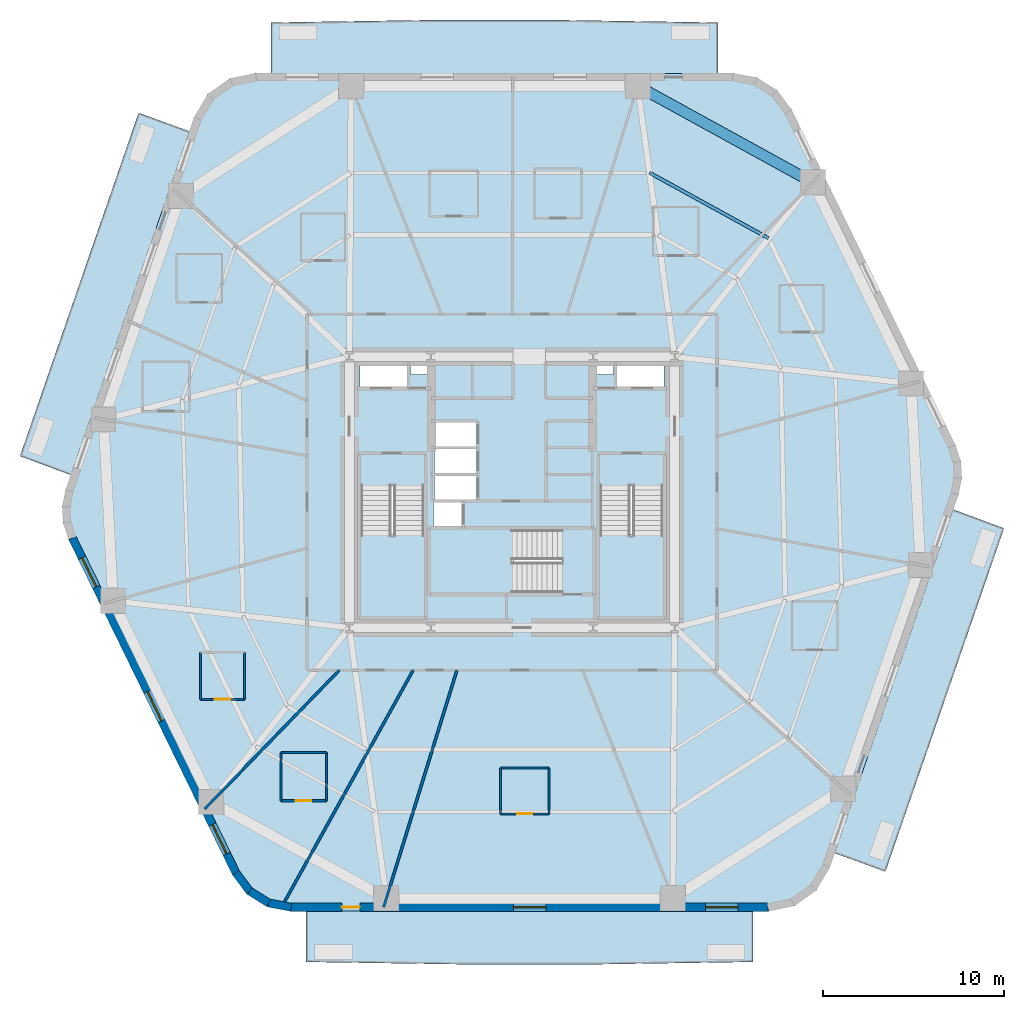
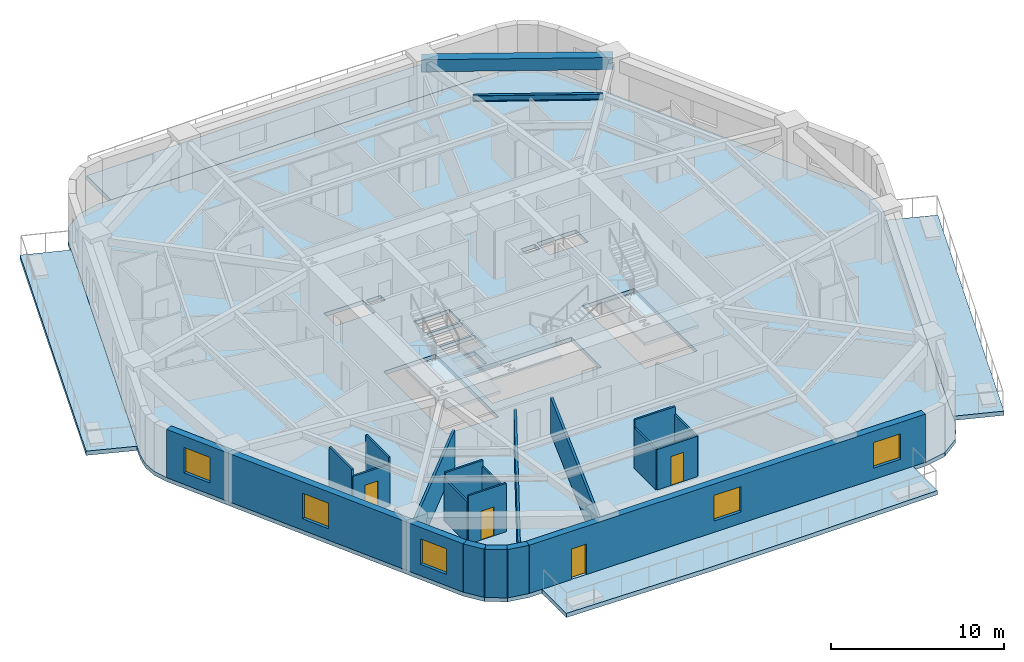
# One storey, part 2 of 10: 19 walls, 8 slabs, 5 windows, 4 doors, 2 beams, 9 openings, 3 elements without a shape of their own.
"""IFC4 building model written with IfcOpenShell, lengths in metres."""

from ifc_helpers import new_model, si_unit, direction, frame, frame_2d, origin, origin_2d, place, context, subcontext, project, spatial, polyline, rectangle, i_section, outline, extrude, material, layer, layer_set, material_profile, profile_set, type_object, element, fill, aggregate, save


model = new_model("IFC4")

# Units and contexts
model_context = context("Model", 3, precision=1e-05, world=origin(), true_north=direction((0.0, 1.0)))
body_context = subcontext(model_context, "Body", "Model", "MODEL_VIEW")
ifc_project = project(units=[si_unit("LENGTHUNIT", "METRE"), si_unit("AREAUNIT", "SQUARE_METRE"), si_unit("VOLUMEUNIT", "CUBIC_METRE"), si_unit("PLANEANGLEUNIT", "RADIAN"), si_unit("MASSUNIT", "GRAM", prefix="KILO")], contexts=[model_context])

# Site, building, storey
site_placement = place(None, origin())
site = spatial("IfcSite", under=ifc_project, at=site_placement, CompositionType="ELEMENT")
building_placement = place(site_placement, origin())
building = spatial("IfcBuilding", under=site, at=building_placement, Name="Kilnhurst Terrace Hotel", CompositionType="ELEMENT")
storey_placement = place(building_placement, frame((0.0, 0.0, 74.89990234375)))
storey = spatial("IfcBuildingStorey", under=building, at=storey_placement, Name="L17", CompositionType="ELEMENT", Elevation=74.89990234375)

# Beams
ifc_material_1 = material(Name="Concrete C50/60", Category="concrete")
ifc_material_profile_1 = material_profile(ifc_material_1, rectangle(XDim=0.60009765625, YDim=0.85009765625, at=origin_2d()), Name="RC600X850")
ifc_profile_set_1 = profile_set([ifc_material_profile_1], Name="Concrete C50/60")
beam_type_1 = type_object("IfcBeamType", Name="BM-SPN-600X850", PredefinedType="SPANDREL", material=ifc_profile_set_1)
beam_1_placement = place(storey_placement, frame((16.64306640625, 17.152099609375, 2.97509765625), z_axis=(-0.876235488803, 0.481883147829, 0.0), x_axis=(-0.481883147829, -0.876235488803, 0.0)))
element("IfcBeam", 1, at=beam_1_placement, inside=storey, type_object=beam_type_1, Name="L17 Perimeter Spandrel Beam 6", PredefinedType="SPANDREL", context=body_context, shape_type="SweptSolid", body=[
    extrude(rectangle(XDim=0.60009765625, YDim=0.85009765625, at=origin_2d()), origin(), (0.0, 0.0, 1.0), 11.056396484375),
])
ifc_material_2 = material(Name="Steel ASTM A992 Grade 50", Category="steel")
ifc_material_profile_2 = material_profile(ifc_material_2, i_section(OverallWidth=0.180908203125, OverallDepth=0.417236328125, WebThickness=0.010986328125, FlangeThickness=0.018310546875, at=origin_2d()), Name="W16X57")
ifc_profile_set_2 = profile_set([ifc_material_profile_2], Name="Steel ASTM A992 Grade 50")
beam_type_2 = type_object("IfcBeamType", Name="JST-STL-W16X57", PredefinedType="JOIST", material=ifc_profile_set_2)
beam_2_placement = place(storey_placement, frame((14.197265625, 14.0634765625, 3.191162109375), z_axis=(-0.876246073632, 0.481863900334, 0.0), x_axis=(-0.481863900334, -0.876246073632, 0.0)))
element("IfcBeam", 2, at=beam_2_placement, inside=storey, type_object=beam_type_2, Name="L17 Secondary Floor Steel Joist OUT.6", PredefinedType="JOIST", context=body_context, shape_type="SweptSolid", body=[
    extrude(i_section(OverallWidth=0.180908203125, OverallDepth=0.417236328125, WebThickness=0.010986328125, FlangeThickness=0.018310546875, at=origin_2d()), origin(), (0.0, 0.0, 1.0), 7.518310546875),
])

# Slabs
ifc_layer_1 = layer(ifc_material_1, 0.300048828125, Name="Concrete C50/60")
ifc_layer_set_1 = layer_set([ifc_layer_1], Name="Concrete C50/60")
slab_type_1 = type_object("IfcSlabType", Name="SLB-BAL-300", PredefinedType="FLOOR", material=ifc_layer_set_1)
slab_1_placement = place(storey_placement, frame((0.0, 0.0, -0.2998046875)))
element("IfcSlab", 3, at=slab_1_placement, inside=storey, type_object=slab_type_1, Name="L17 Cantilevered Planted Terrace Slab BAL-L1A", PredefinedType="FLOOR", context=body_context, shape_type="SweptSolid", body=[
    extrude(outline(polyline([(4.229248046875, -26.139892578125), (-2.279541015625, -26.139892578125), (-11.39208984375, -26.0), (-11.39208984375, -23.179931640625), (13.341552734375, -23.179931640625), (13.341552734375, -26.0), (4.229248046875, -26.139892578125)])), origin(), (0.0, 0.0, 1.0), 0.2998046875),
])
slab_2_placement = place(storey_placement, frame((0.0, 0.0, -0.2998046875)))
element("IfcSlab", 4, at=slab_2_placement, inside=storey, type_object=slab_type_1, Name="L17 Cantilevered Planted Terrace Slab BAL-L1B", PredefinedType="FLOOR", context=body_context, shape_type="SweptSolid", body=[
    extrude(outline(polyline([(20.670166015625, -21.0), (17.84912109375, -19.975341796875), (24.410888671875, -0.9501953125), (27.23388671875, -2.0), (23.98046875, -11.4296875), (20.670166015625, -21.0)])), origin(), (0.0, 0.0, 1.0), 0.2998046875),
])
slab_3_placement = place(storey_placement, frame((0.0, 0.0, -0.2998046875)))
element("IfcSlab", 5, at=slab_3_placement, inside=storey, type_object=slab_type_1, Name="L17 Cantilevered Planted Terrace Slab BAL-L2A", PredefinedType="FLOOR", context=body_context, shape_type="SweptSolid", body=[
    extrude(outline(polyline([(2.279541015625, 26.139892578125), (11.39208984375, 26.0), (11.39208984375, 23.179931640625), (-13.341552734375, 23.179931640625), (-13.341552734375, 26.0), (-4.229248046875, 26.139892578125), (2.279541015625, 26.139892578125)])), origin(), (0.0, 0.0, 1.0), 0.2998046875),
])
slab_4_placement = place(storey_placement, frame((0.0, 0.0, -0.2998046875)))
element("IfcSlab", 6, at=slab_4_placement, inside=storey, type_object=slab_type_1, Name="L17 Cantilevered Planted Terrace Slab BAL-L2B", PredefinedType="FLOOR", context=body_context, shape_type="SweptSolid", body=[
    extrude(outline(polyline([(-20.670166015625, 21.0), (-17.84912109375, 19.975341796875), (-24.410888671875, 0.9501953125), (-27.23388671875, 2.0), (-23.98046875, 11.4296875), (-20.670166015625, 21.0)])), origin(), (0.0, 0.0, 1.0), 0.2998046875),
])
ifc_layer_2 = layer(ifc_material_1, 0.280029296875, Name="Concrete C50/60")
ifc_layer_set_2 = layer_set([ifc_layer_2], Name="Concrete C50/60")
slab_type_2 = type_object("IfcSlabType", Name="SLB-FLR-280", PredefinedType="FLOOR", material=ifc_layer_set_2)
slab_5_placement = place(storey_placement, frame((0.0, 0.0, -0.27978515625)))
element("IfcSlab", 7, at=slab_5_placement, inside=storey, type_object=slab_type_2, Name="L17 Structural Floor Slab", PredefinedType="FLOOR", context=body_context, shape_type="SweptSolid", body=[
    extrude(outline(polyline([(-15.476806640625, -21.18017578125), (-14.680908203125, -22.248046875), (-13.551025390625, -22.95361328125), (-12.241943359375, -23.199951171875), (14.191650390625, -23.199951171875), (15.635986328125, -22.8974609375), (16.837890625, -22.040771484375), (17.5947265625, -20.773681640625), (24.712890625, -0.135986328125), (24.90087890625, 0.7861328125), (24.843505859375, 1.7255859375), (24.54443359375, 2.617919921875), (15.476806640625, 21.18017578125), (14.680908203125, 22.248046875), (13.551025390625, 22.95361328125), (12.241943359375, 23.199951171875), (-14.191650390625, 23.199951171875), (-15.635986328125, 22.8974609375), (-16.837890625, 22.040771484375), (-17.5947265625, 20.773681640625), (-24.712890625, 0.135986328125), (-24.90087890625, -0.7861328125), (-24.843505859375, -1.7255859375), (-24.54443359375, -2.617919921875), (-15.476806640625, -21.18017578125)]), holes=[polyline([(-8.35009765625, 0.35498046875), (-4.8798828125, 0.35498046875), (-4.8798828125, -6.89990234375), (-8.35009765625, -6.89990234375), (-8.35009765625, 0.35498046875)]), polyline([(-2.800048828125, -1.89990234375), (-4.35009765625, -1.89990234375), (-4.35009765625, -0.550048828125), (-2.800048828125, -0.550048828125), (-2.800048828125, -1.89990234375)]), polyline([(-1.949951171875, -0.429931640625), (-4.300048828125, -0.429931640625), (-4.300048828125, 0.89990234375), (-1.949951171875, 0.89990234375), (-1.949951171875, -0.429931640625)]), polyline([(-4.300048828125, 1.050048828125), (-4.300048828125, 2.3798828125), (-1.949951171875, 2.3798828125), (-1.949951171875, 1.050048828125), (-4.300048828125, 1.050048828125)]), polyline([(-8.39990234375, 5.75), (-8.39990234375, 7.14990234375), (-5.800048828125, 7.14990234375), (-5.800048828125, 5.75), (-8.39990234375, 5.75)]), polyline([(-4.659912109375, 6.52001953125), (-5.6201171875, 6.52001953125), (-5.6201171875, 7.080078125), (-4.659912109375, 7.080078125), (-4.659912109375, 6.52001953125)]), polyline([(2.7548828125, -5.550048828125), (-4.5, -5.550048828125), (-4.5, -2.080078125), (2.7548828125, -2.080078125), (2.7548828125, -5.550048828125)]), polyline([(8.35009765625, 0.35498046875), (8.35009765625, -6.89990234375), (4.8798828125, -6.89990234375), (4.8798828125, 0.35498046875), (8.35009765625, 0.35498046875)]), polyline([(-1.949951171875, 2.530029296875), (-4.300048828125, 2.530029296875), (-4.300048828125, 3.860107421875), (-1.949951171875, 3.860107421875), (-1.949951171875, 2.530029296875)]), polyline([(5.800048828125, 5.75), (5.800048828125, 7.14990234375), (8.39990234375, 7.14990234375), (8.39990234375, 5.75), (5.800048828125, 5.75)]), polyline([(4.659912109375, 6.52001953125), (4.659912109375, 7.080078125), (5.6201171875, 7.080078125), (5.6201171875, 6.52001953125), (4.659912109375, 6.52001953125)])]), origin(), (0.0, 0.0, 1.0), 0.27978515625),
])

# Stair, slab
stair_type = type_object("IfcStairType", Name="STR-CORE-1660", PredefinedType="HALF_TURN_STAIR", material=ifc_material_1)
stair_1_placement = place(storey_placement, origin())
stair_1 = element("IfcStair", 8, at=stair_1_placement, inside=storey, type_object=stair_type, Name="L17 ST-1", PredefinedType="HALF_TURN_STAIR")
ifc_layer_3 = layer(ifc_material_1, 0.199951171875, Name="Concrete C50/60")
ifc_layer_set_3 = layer_set([ifc_layer_3], Name="Concrete C50/60")
slab_type_3 = type_object("IfcSlabType", Name="SLB-ST-LND-200", PredefinedType="LANDING", material=ifc_layer_set_3)
slab_6_placement = place(storey_placement, frame((0.0, 0.0, 1.650146484375)))
slab_6 = element("IfcSlab", 9, at=slab_6_placement, type_object=slab_type_3, Name="ST-1 landing 1", PredefinedType="LANDING", context=body_context, shape_type="SweptSolid", body=[
    extrude(outline(polyline([(-8.429931640625, -2.330078125), (-4.800048828125, -2.330078125), (-4.800048828125, -6.97998046875), (-8.429931640625, -6.97998046875), (-8.429931640625, -2.330078125)])), origin(), (0.0, 0.0, 1.0), 0.199951171875),
])
aggregate(stair_1, [slab_6])

stair_2_placement = place(storey_placement, origin())
stair_2 = element("IfcStair", 10, at=stair_2_placement, inside=storey, type_object=stair_type, Name="L17 ST-2", PredefinedType="HALF_TURN_STAIR")
slab_7_placement = place(storey_placement, frame((0.0, 0.0, 1.650146484375)))
slab_7 = element("IfcSlab", 11, at=slab_7_placement, type_object=slab_type_3, Name="ST-2 landing 1", PredefinedType="LANDING", context=body_context, shape_type="SweptSolid", body=[
    extrude(outline(polyline([(4.800048828125, -2.330078125), (8.429931640625, -2.330078125), (8.429931640625, -6.97998046875), (4.800048828125, -6.97998046875), (4.800048828125, -2.330078125)])), origin(), (0.0, 0.0, 1.0), 0.199951171875),
])
aggregate(stair_2, [slab_7])

stair_3_placement = place(storey_placement, origin())
stair_3 = element("IfcStair", 12, at=stair_3_placement, inside=storey, type_object=stair_type, Name="L17 ST-3", PredefinedType="HALF_TURN_STAIR")
slab_8_placement = place(storey_placement, frame((0.0, 0.0, 1.650146484375)))
slab_8 = element("IfcSlab", 13, at=slab_8_placement, type_object=slab_type_3, Name="ST-3 landing 1", PredefinedType="LANDING", context=body_context, shape_type="SweptSolid", body=[
    extrude(outline(polyline([(0.070068359375, -2.0), (0.070068359375, -5.6298828125), (-4.580078125, -5.6298828125), (-4.580078125, -2.0), (0.070068359375, -2.0)])), origin(), (0.0, 0.0, 1.0), 0.199951171875),
])
aggregate(stair_3, [slab_8])

# Walls
ifc_material_3 = material(Name="Precast concrete C40/50", Category="concrete")
ifc_layer_4 = layer(ifc_material_3, 0.449951171875, Name="Precast concrete C40/50")
ifc_layer_set_4 = layer_set([ifc_layer_4], Name="Precast concrete C40/50")
wall_type_1 = type_object("IfcWallType", Name="WL-BRK-450", PredefinedType="SOLIDWALL", material=ifc_layer_set_4)
wall_1_placement = place(storey_placement, frame((-15.28369140625, -21.0625, 0.0), z_axis=(0.0, 0.0, 1.0), x_axis=(0.597595366449, -0.801797841104, 0.0)))
element("IfcWall", 14, at=wall_1_placement, inside=storey, type_object=wall_type_1, Name="L17 Rounded Corner Brick Wall C1.1", PredefinedType="SOLIDWALL", context=body_context, shape_type="SweptSolid", body=[
    extrude(rectangle(XDim=1.2685546875, YDim=0.449951171875, at=frame_2d((0.63427734375, 0.0))), origin(), (0.0, 0.0, 1.0), 3.400146484375),
])
wall_2_placement = place(storey_placement, frame((-14.525634765625, -22.07958984375, 0.0), z_axis=(0.0, 0.0, 1.0), x_axis=(0.848185203596, -0.529699783275, 0.0)))
element("IfcWall", 15, at=wall_2_placement, inside=storey, type_object=wall_type_1, Name="L17 Rounded Corner Brick Wall C1.2", PredefinedType="SOLIDWALL", context=body_context, shape_type="SweptSolid", body=[
    extrude(rectangle(XDim=1.247314453125, YDim=0.449951171875, at=frame_2d((0.62353515625, 0.0))), origin(), (0.0, 0.0, 1.0), 3.400146484375),
])
wall_3_placement = place(storey_placement, frame((-13.4677734375, -22.740234375, 0.0), z_axis=(0.0, 0.0, 1.0), x_axis=(0.982717174228, -0.185113358451, 0.0)))
element("IfcWall", 16, at=wall_3_placement, inside=storey, type_object=wall_type_1, Name="L17 Rounded Corner Brick Wall C1.3", PredefinedType="SOLIDWALL", context=body_context, shape_type="SweptSolid", body=[
    extrude(rectangle(XDim=1.268798828125, YDim=0.449951171875, at=frame_2d((0.63427734375, 0.0))), origin(), (0.0, 0.0, 1.0), 3.400146484375),
])

# Wall, openings, door, windows
wall_4_placement = place(storey_placement, frame((-12.220947265625, -22.97509765625, 0.0), z_axis=(0.0, 0.0, 1.0), x_axis=(1.0, 0.0, 0.0)))
wall_4 = element("IfcWall", 17, at=wall_4_placement, inside=storey, type_object=wall_type_1, Name="L17 Exterior Brick Facade Wall F1", PredefinedType="SOLIDWALL", context=body_context, shape_type="SweptSolid", body=[
    extrude(rectangle(XDim=26.38916015625, YDim=0.449951171875, at=frame_2d((13.194580078125, 0.0))), origin(), (0.0, 0.0, 1.0), 3.400146484375),
])
opening_1_placement = place(wall_4_placement, frame((2.799072265625, 0.0, 0.0)))
opening_1 = element("IfcOpeningElement", 18, at=opening_1_placement, cuts=wall_4, Name="Opening BD-1000", PredefinedType="OPENING", context=body_context, shape_type="SweptSolid", body=[
    extrude(rectangle(XDim=1.0, YDim=2.14990234375, at=frame_2d((0.5, 1.074951171875))), frame((0.0, 0.23486328125, 0.0), z_axis=(0.0, -1.0, 0.0), x_axis=(1.0, 0.0, 0.0)), (0.0, 0.0, 1.0), 0.469970703125),
])
opening_2_placement = place(wall_4_placement, frame((12.2958984375, 0.0, 0.800048828125)))
opening_2 = element("IfcOpeningElement", 19, at=opening_2_placement, cuts=wall_4, Name="Opening W-01", PredefinedType="OPENING", context=body_context, shape_type="SweptSolid", body=[
    extrude(rectangle(XDim=1.800048828125, YDim=1.800048828125, at=frame_2d((0.89990234375, 0.89990234375))), frame((0.0, 0.23486328125, 0.0), z_axis=(0.0, -1.0, 0.0), x_axis=(1.0, 0.0, 0.0)), (0.0, 0.0, 1.0), 0.469970703125),
])
opening_3_placement = place(wall_4_placement, frame((22.93798828125, 0.0, 0.800048828125)))
opening_3 = element("IfcOpeningElement", 20, at=opening_3_placement, cuts=wall_4, Name="Opening W-01", PredefinedType="OPENING", context=body_context, shape_type="SweptSolid", body=[
    extrude(rectangle(XDim=1.800048828125, YDim=1.800048828125, at=frame_2d((0.89990234375, 0.89990234375))), frame((0.0, 0.23486328125, 0.0), z_axis=(0.0, -1.0, 0.0), x_axis=(1.0, 0.0, 0.0)), (0.0, 0.0, 1.0), 0.469970703125),
])
ifc_material_4 = material(Name="Thermally Broken Bronze Aluminium Alloy 6063-T6 and Laminated Glass", Category="aluminium")
door_type_1 = type_object("IfcDoorType", Name="DR-EXT-BAL-1000", OperationType="NOTDEFINED", PredefinedType="DOOR", material=ifc_material_4)
door_1_placement = place(opening_1_placement, origin())
door_1 = element("IfcDoor", 21, at=door_1_placement, inside=storey, type_object=door_type_1, Name="L17 Planted Balcony Door BAL-L1A", OperationType="SINGLE_SWING_LEFT", OverallHeight=2.14990234375, OverallWidth=1.0, PredefinedType="DOOR", context=body_context, shape_type="SweptSolid", body=[
    extrude(rectangle(XDim=1.0, YDim=2.14990234375, at=frame_2d((0.5, 1.074951171875))), frame((0.0, 0.02490234375, 0.0), z_axis=(0.0, -1.0, 0.0), x_axis=(1.0, 0.0, 0.0)), (0.0, 0.0, 1.0), 0.050048828125),
])
fill(opening_1, door_1)
ifc_material_5 = material(Name="Thermally Broken Bronze Aluminium Alloy 6063-T6 and Low-E Glass", Category="aluminium")
window_type = type_object("IfcWindowType", Name="WIN-1800X1800", PartitioningType="SINGLE_PANEL", PredefinedType="WINDOW", material=ifc_material_5)
window_1_placement = place(opening_2_placement, origin())
window_1 = element("IfcWindow", 22, at=window_1_placement, inside=storey, type_object=window_type, Name="L17 Deep-Set Masonry Window F1.1", OverallHeight=1.800048828125, OverallWidth=1.800048828125, PartitioningType="SINGLE_PANEL", PredefinedType="WINDOW", context=body_context, shape_type="SweptSolid", body=[
    extrude(rectangle(XDim=1.800048828125, YDim=1.800048828125, at=frame_2d((0.89990234375, 0.89990234375))), frame((0.0, 0.030029296875, 0.0), z_axis=(0.0, -1.0, 0.0), x_axis=(1.0, 0.0, 0.0)), (0.0, 0.0, 1.0), 0.06005859375),
])
fill(opening_2, window_1)
window_2_placement = place(opening_3_placement, origin())
window_2 = element("IfcWindow", 23, at=window_2_placement, inside=storey, type_object=window_type, Name="L17 Deep-Set Masonry Window F1.2", OverallHeight=1.800048828125, OverallWidth=1.800048828125, PartitioningType="SINGLE_PANEL", PredefinedType="WINDOW", context=body_context, shape_type="SweptSolid", body=[
    extrude(rectangle(XDim=1.800048828125, YDim=1.800048828125, at=frame_2d((0.89990234375, 0.89990234375))), frame((0.0, 0.030029296875, 0.0), z_axis=(0.0, -1.0, 0.0), x_axis=(1.0, 0.0, 0.0)), (0.0, 0.0, 1.0), 0.06005859375),
])
fill(opening_3, window_2)

# Wall, openings, windows
wall_5_placement = place(storey_placement, frame((-24.335693359375, -2.532470703125, 0.0), z_axis=(0.0, 0.0, 1.0), x_axis=(0.438931326393, -0.898520612291, 0.0)))
wall_5 = element("IfcWall", 24, at=wall_5_placement, inside=storey, type_object=wall_type_1, Name="L17 Exterior Brick Facade Wall F6", PredefinedType="SOLIDWALL", context=body_context, shape_type="SweptSolid", body=[
    extrude(rectangle(XDim=20.622802734375, YDim=0.449951171875, at=frame_2d((10.3115234375, 0.0))), origin(), (0.0, 0.0, 1.0), 3.400146484375),
])
opening_4_placement = place(wall_5_placement, frame((1.214111328125, 0.0, 0.800048828125)))
opening_4 = element("IfcOpeningElement", 25, at=opening_4_placement, cuts=wall_5, Name="Opening W-01", PredefinedType="OPENING", context=body_context, shape_type="SweptSolid", body=[
    extrude(rectangle(XDim=1.800048828125, YDim=1.800048828125, at=frame_2d((0.89990234375, 0.89990234375))), frame((0.0, 0.23486328125, 0.0), z_axis=(0.0, -1.0, 0.0), x_axis=(1.0, 0.0, 0.0)), (0.0, 0.0, 1.0), 0.469970703125),
])
opening_5_placement = place(wall_5_placement, frame((9.4619140625, 0.0, 0.800048828125)))
opening_5 = element("IfcOpeningElement", 26, at=opening_5_placement, cuts=wall_5, Name="Opening W-01", PredefinedType="OPENING", context=body_context, shape_type="SweptSolid", body=[
    extrude(rectangle(XDim=1.800048828125, YDim=1.800048828125, at=frame_2d((0.89990234375, 0.89990234375))), frame((0.0, 0.23486328125, 0.0), z_axis=(0.0, -1.0, 0.0), x_axis=(1.0, 0.0, 0.0)), (0.0, 0.0, 1.0), 0.469970703125),
])
opening_6_placement = place(wall_5_placement, frame((17.659912109375, 0.0, 0.800048828125)))
opening_6 = element("IfcOpeningElement", 27, at=opening_6_placement, cuts=wall_5, Name="Opening W-01", PredefinedType="OPENING", context=body_context, shape_type="SweptSolid", body=[
    extrude(rectangle(XDim=1.800048828125, YDim=1.800048828125, at=frame_2d((0.89990234375, 0.89990234375))), frame((0.0, 0.23486328125, 0.0), z_axis=(0.0, -1.0, 0.0), x_axis=(1.0, 0.0, 0.0)), (0.0, 0.0, 1.0), 0.469970703125),
])
window_3_placement = place(opening_4_placement, origin())
window_3 = element("IfcWindow", 28, at=window_3_placement, inside=storey, type_object=window_type, Name="L17 Deep-Set Masonry Window F6.1", OverallHeight=1.800048828125, OverallWidth=1.800048828125, PartitioningType="SINGLE_PANEL", PredefinedType="WINDOW", context=body_context, shape_type="SweptSolid", body=[
    extrude(rectangle(XDim=1.800048828125, YDim=1.800048828125, at=frame_2d((0.89990234375, 0.89990234375))), frame((0.0, 0.030029296875, 0.0), z_axis=(0.0, -1.0, 0.0), x_axis=(1.0, 0.0, 0.0)), (0.0, 0.0, 1.0), 0.06005859375),
])
fill(opening_4, window_3)
window_4_placement = place(opening_5_placement, origin())
window_4 = element("IfcWindow", 29, at=window_4_placement, inside=storey, type_object=window_type, Name="L17 Deep-Set Masonry Window F6.2", OverallHeight=1.800048828125, OverallWidth=1.800048828125, PartitioningType="SINGLE_PANEL", PredefinedType="WINDOW", context=body_context, shape_type="SweptSolid", body=[
    extrude(rectangle(XDim=1.800048828125, YDim=1.800048828125, at=frame_2d((0.89990234375, 0.89990234375))), frame((0.0, 0.030029296875, 0.0), z_axis=(0.0, -1.0, 0.0), x_axis=(1.0, 0.0, 0.0)), (0.0, 0.0, 1.0), 0.06005859375),
])
fill(opening_5, window_4)
window_5_placement = place(opening_6_placement, origin())
window_5 = element("IfcWindow", 30, at=window_5_placement, inside=storey, type_object=window_type, Name="L17 Deep-Set Masonry Window F6.3", OverallHeight=1.800048828125, OverallWidth=1.800048828125, PartitioningType="SINGLE_PANEL", PredefinedType="WINDOW", context=body_context, shape_type="SweptSolid", body=[
    extrude(rectangle(XDim=1.800048828125, YDim=1.800048828125, at=frame_2d((0.89990234375, 0.89990234375))), frame((0.0, 0.030029296875, 0.0), z_axis=(0.0, -1.0, 0.0), x_axis=(1.0, 0.0, 0.0)), (0.0, 0.0, 1.0), 0.06005859375),
])
fill(opening_6, window_5)

# Walls
ifc_material_6 = material(Name="STC-58 Acoustic Twin-Frame Guestroom Demising Partition")
ifc_layer_5 = layer(ifc_material_6, 0.14990234375, Name="STC-58 Acoustic Twin-Frame Guestroom Demising Partition")
ifc_layer_set_5 = layer_set([ifc_layer_5], Name="STC-58 Acoustic Twin-Frame Guestroom Demising Partition")
wall_type_2 = type_object("IfcWallType", Name="WL-DEM-150", PredefinedType="PARTITIONING", material=ifc_layer_set_5)
wall_6_placement = place(storey_placement, frame((-9.5576171875, -9.85009765625, 0.0), z_axis=(0.0, 0.0, 1.0), x_axis=(-0.69638346089, -0.717669893056, 0.0)))
element("IfcWall", 31, at=wall_6_placement, inside=storey, type_object=wall_type_2, Name="L17 Interior Wall WL-L17-DEM-COL08-10-1", PredefinedType="PARTITIONING", context=body_context, shape_type="SweptSolid", body=[
    extrude(rectangle(XDim=10.700927734375, YDim=0.14990234375, at=frame_2d((5.3505859375, 0.0))), origin(), (0.0, 0.0, 1.0), 2.5400390625),
])
wall_7_placement = place(storey_placement, frame((-5.470703125, -9.85009765625, 0.0), z_axis=(0.0, 0.0, 1.0), x_axis=(-0.48553323157, -0.874218211341, 0.0)))
element("IfcWall", 32, at=wall_7_placement, inside=storey, type_object=wall_type_2, Name="L17 Interior Wall WL-L17-DEM-MID08-11-1", PredefinedType="PARTITIONING", context=body_context, shape_type="SweptSolid", body=[
    extrude(rectangle(XDim=14.739501953125, YDim=0.14990234375, at=frame_2d((7.36962890625, 0.0))), origin(), (0.0, 0.0, 1.0), 2.5400390625),
])
wall_8_placement = place(storey_placement, frame((-3.047607421875, -9.85009765625, 0.0), z_axis=(0.0, 0.0, 1.0), x_axis=(-0.295553992761, -0.955326037206, 0.0)))
element("IfcWall", 33, at=wall_8_placement, inside=storey, type_object=wall_type_2, Name="L17 Interior Wall WL-L17-DEM-COL09-12-1", PredefinedType="PARTITIONING", context=body_context, shape_type="SweptSolid", body=[
    extrude(rectangle(XDim=13.73876953125, YDim=0.14990234375, at=frame_2d((6.869384765625, 0.0))), origin(), (0.0, 0.0, 1.0), 2.5400390625),
])

# Wall, opening, door
ifc_material_7 = material(Name="120 mm Moisture-Resistant Tile-Backed Bathroom Partition")
ifc_layer_6 = layer(ifc_material_7, 0.1201171875, Name="120 mm Moisture-Resistant Tile-Backed Bathroom Partition")
ifc_layer_set_6 = layer_set([ifc_layer_6], Name="120 mm Moisture-Resistant Tile-Backed Bathroom Partition")
wall_type_3 = type_object("IfcWallType", Name="WL-PART-120", PredefinedType="PARTITIONING", material=ifc_layer_set_6)
wall_9_placement = place(storey_placement, frame((-17.243896484375, -11.469970703125, 0.0), z_axis=(0.0, 0.0, 1.0), x_axis=(1.0, 0.0, 0.0)))
wall_9 = element("IfcWall", 34, at=wall_9_placement, inside=storey, type_object=wall_type_3, Name="L17 Interior Wall WL-L17-BTH-09-1", PredefinedType="PARTITIONING", context=body_context, shape_type="SweptSolid", body=[
    extrude(rectangle(XDim=2.43994140625, YDim=0.1201171875, at=frame_2d((1.219970703125, 0.0))), origin(), (0.0, 0.0, 1.0), 2.926513671875),
])
opening_7_placement = place(wall_9_placement, frame((0.794921875, 0.0, 0.0)))
opening_7 = element("IfcOpeningElement", 35, at=opening_7_placement, cuts=wall_9, Name="Opening D-08A", PredefinedType="OPENING", context=body_context, shape_type="SweptSolid", body=[
    extrude(rectangle(XDim=0.85009765625, YDim=2.030029296875, at=frame_2d((0.425048828125, 1.01513671875))), frame((0.0, 0.070068359375, 0.0), z_axis=(0.0, -1.0, 0.0), x_axis=(1.0, 0.0, 0.0)), (0.0, 0.0, 1.0), 0.14013671875),
])
ifc_material_8 = material(Name="Moisture-Resistant Lacquered En-suite Bathroom Door")
door_type_2 = type_object("IfcDoorType", Name="DR-INT-850", OperationType="NOTDEFINED", PredefinedType="DOOR", material=ifc_material_8)
door_2_placement = place(opening_7_placement, origin())
door_2 = element("IfcDoor", 36, at=door_2_placement, inside=storey, type_object=door_type_2, Name="L17 En-suite Bathroom Door 9", OperationType="SINGLE_SWING_RIGHT", OverallHeight=2.030029296875, OverallWidth=0.85009765625, PredefinedType="DOOR", context=body_context, shape_type="SweptSolid", body=[
    extrude(rectangle(XDim=0.85009765625, YDim=2.030029296875, at=frame_2d((0.425048828125, 1.01513671875))), frame((0.0, 0.02490234375, 0.0), z_axis=(0.0, -1.0, 0.0), x_axis=(1.0, 0.0, 0.0)), (0.0, 0.0, 1.0), 0.050048828125),
])
fill(opening_7, door_2)

# Walls
for number, where, z_axis, x_axis, name in (
    (37, (-14.803955078125, -11.469970703125, 0.0), (0.0, 0.0, 1.0), (0.0, 1.0, 0.0), "L17 Interior Wall WL-L17-BTH-09-2"),
    (38, (-17.243896484375, -8.860107421875, 0.0), (0.0, 0.0, 1.0), (0.0, -1.0, 0.0), "L17 Interior Wall WL-L17-BTH-09-4"),
):
    element("IfcWall", number, at=place(storey_placement, frame(where, z_axis=z_axis, x_axis=x_axis)), inside=storey, type_object=wall_type_3, Name=name, PredefinedType="PARTITIONING", context=body_context, shape_type="SweptSolid", body=[
        extrude(rectangle(XDim=2.60986328125, YDim=0.1201171875, at=frame_2d((1.304931640625, 0.0))), origin(), (0.0, 0.0, 1.0), 3.400146484375),
    ])

# Wall, opening, door
wall_10_placement = place(storey_placement, frame((-12.794921875, -17.0810546875, 0.0), z_axis=(0.0, 0.0, 1.0), x_axis=(1.0, 0.0, 0.0)))
wall_10 = element("IfcWall", 39, at=wall_10_placement, inside=storey, type_object=wall_type_3, Name="L17 Interior Wall WL-L17-BTH-10-1", PredefinedType="PARTITIONING", context=body_context, shape_type="SweptSolid", body=[
    extrude(rectangle(XDim=2.52001953125, YDim=0.1201171875, at=frame_2d((1.260009765625, 0.0))), origin(), (0.0, 0.0, 1.0), 3.400146484375),
])
opening_8_placement = place(wall_10_placement, frame((0.8349609375, 0.0, 0.0)))
opening_8 = element("IfcOpeningElement", 40, at=opening_8_placement, cuts=wall_10, Name="Opening D-08A", PredefinedType="OPENING", context=body_context, shape_type="SweptSolid", body=[
    extrude(rectangle(XDim=0.85009765625, YDim=2.030029296875, at=frame_2d((0.425048828125, 1.01513671875))), frame((0.0, 0.070068359375, 0.0), z_axis=(0.0, -1.0, 0.0), x_axis=(1.0, 0.0, 0.0)), (0.0, 0.0, 1.0), 0.14013671875),
])
door_3_placement = place(opening_8_placement, origin())
door_3 = element("IfcDoor", 41, at=door_3_placement, inside=storey, type_object=door_type_2, Name="L17 En-suite Bathroom Door 10", OperationType="SINGLE_SWING_LEFT", OverallHeight=2.030029296875, OverallWidth=0.85009765625, PredefinedType="DOOR", context=body_context, shape_type="SweptSolid", body=[
    extrude(rectangle(XDim=0.85009765625, YDim=2.030029296875, at=frame_2d((0.425048828125, 1.01513671875))), frame((0.0, 0.02490234375, 0.0), z_axis=(0.0, -1.0, 0.0), x_axis=(1.0, 0.0, 0.0)), (0.0, 0.0, 1.0), 0.050048828125),
])
fill(opening_8, door_3)

# Walls
wall_11_placement = place(storey_placement, frame((-10.27490234375, -17.0810546875, 0.0), z_axis=(0.0, 0.0, 1.0), x_axis=(0.0, 1.0, 0.0)))
element("IfcWall", 42, at=wall_11_placement, inside=storey, type_object=wall_type_3, Name="L17 Interior Wall WL-L17-BTH-10-2", PredefinedType="PARTITIONING", context=body_context, shape_type="SweptSolid", body=[
    extrude(rectangle(XDim=2.68017578125, YDim=0.1201171875, at=frame_2d((1.340087890625, 0.0))), origin(), (0.0, 0.0, 1.0), 2.972412109375),
])
wall_12_placement = place(storey_placement, frame((-10.27490234375, -14.40087890625, 0.0), z_axis=(0.0, 0.0, 1.0), x_axis=(-1.0, 0.0, 0.0)))
element("IfcWall", 43, at=wall_12_placement, inside=storey, type_object=wall_type_3, Name="L17 Interior Wall WL-L17-BTH-10-3", PredefinedType="PARTITIONING", context=body_context, shape_type="SweptSolid", body=[
    extrude(rectangle(XDim=2.52001953125, YDim=0.1201171875, at=frame_2d((1.260009765625, 0.0))), origin(), (0.0, 0.0, 1.0), 3.400146484375),
])
wall_13_placement = place(storey_placement, frame((-12.794921875, -14.40087890625, 0.0), z_axis=(0.0, 0.0, 1.0), x_axis=(0.0, -1.0, 0.0)))
element("IfcWall", 44, at=wall_13_placement, inside=storey, type_object=wall_type_3, Name="L17 Interior Wall WL-L17-BTH-10-4", PredefinedType="PARTITIONING", context=body_context, shape_type="SweptSolid", body=[
    extrude(rectangle(XDim=2.68017578125, YDim=0.1201171875, at=frame_2d((1.340087890625, 0.0))), origin(), (0.0, 0.0, 1.0), 2.972412109375),
])

# Wall, opening, door
wall_14_placement = place(storey_placement, frame((-0.637939453125, -17.806884765625, 0.0), z_axis=(0.0, 0.0, 1.0), x_axis=(1.0, 0.0, 0.0)))
wall_14 = element("IfcWall", 45, at=wall_14_placement, inside=storey, type_object=wall_type_3, Name="L17 Interior Wall WL-L17-BTH-12-1", PredefinedType="PARTITIONING", context=body_context, shape_type="SweptSolid", body=[
    extrude(rectangle(XDim=2.679931640625, YDim=0.1201171875, at=frame_2d((1.33984375, 0.0))), origin(), (0.0, 0.0, 1.0), 2.840576171875),
])
opening_9_placement = place(wall_14_placement, frame((0.9150390625, 0.0, 0.0)))
opening_9 = element("IfcOpeningElement", 46, at=opening_9_placement, cuts=wall_14, Name="Opening D-08A", PredefinedType="OPENING", context=body_context, shape_type="SweptSolid", body=[
    extrude(rectangle(XDim=0.85009765625, YDim=2.030029296875, at=frame_2d((0.425048828125, 1.01513671875))), frame((0.0, 0.070068359375, 0.0), z_axis=(0.0, -1.0, 0.0), x_axis=(1.0, 0.0, 0.0)), (0.0, 0.0, 1.0), 0.14013671875),
])
door_4_placement = place(opening_9_placement, origin())
door_4 = element("IfcDoor", 47, at=door_4_placement, inside=storey, type_object=door_type_2, Name="L17 En-suite Bathroom Door 12", OperationType="SINGLE_SWING_LEFT", OverallHeight=2.030029296875, OverallWidth=0.85009765625, PredefinedType="DOOR", context=body_context, shape_type="SweptSolid", body=[
    extrude(rectangle(XDim=0.85009765625, YDim=2.030029296875, at=frame_2d((0.425048828125, 1.01513671875))), frame((0.0, 0.02490234375, 0.0), z_axis=(0.0, -1.0, 0.0), x_axis=(1.0, 0.0, 0.0)), (0.0, 0.0, 1.0), 0.050048828125),
])
fill(opening_9, door_4)

# Walls
wall_15_placement = place(storey_placement, frame((2.0419921875, -17.806884765625, 0.0), z_axis=(0.0, 0.0, 1.0), x_axis=(0.0, 1.0, 0.0)))
element("IfcWall", 48, at=wall_15_placement, inside=storey, type_object=wall_type_3, Name="L17 Interior Wall WL-L17-BTH-12-2", PredefinedType="PARTITIONING", context=body_context, shape_type="SweptSolid", body=[
    extrude(rectangle(XDim=2.539794921875, YDim=0.1201171875, at=frame_2d((1.27001953125, 0.0))), origin(), (0.0, 0.0, 1.0), 2.840576171875),
])
wall_16_placement = place(storey_placement, frame((2.0419921875, -15.26708984375, 0.0), z_axis=(0.0, 0.0, 1.0), x_axis=(-1.0, 0.0, 0.0)))
element("IfcWall", 49, at=wall_16_placement, inside=storey, type_object=wall_type_3, Name="L17 Interior Wall WL-L17-BTH-12-3", PredefinedType="PARTITIONING", context=body_context, shape_type="SweptSolid", body=[
    extrude(rectangle(XDim=2.679931640625, YDim=0.1201171875, at=frame_2d((1.33984375, 0.0))), origin(), (0.0, 0.0, 1.0), 3.400146484375),
])
wall_17_placement = place(storey_placement, frame((-0.637939453125, -15.26708984375, 0.0), z_axis=(0.0, 0.0, 1.0), x_axis=(0.0, -1.0, 0.0)))
element("IfcWall", 50, at=wall_17_placement, inside=storey, type_object=wall_type_3, Name="L17 Interior Wall WL-L17-BTH-12-4", PredefinedType="PARTITIONING", context=body_context, shape_type="SweptSolid", body=[
    extrude(rectangle(XDim=2.539794921875, YDim=0.1201171875, at=frame_2d((1.27001953125, 0.0))), origin(), (0.0, 0.0, 1.0), 2.840576171875),
])

save(model, "model.ifc")
